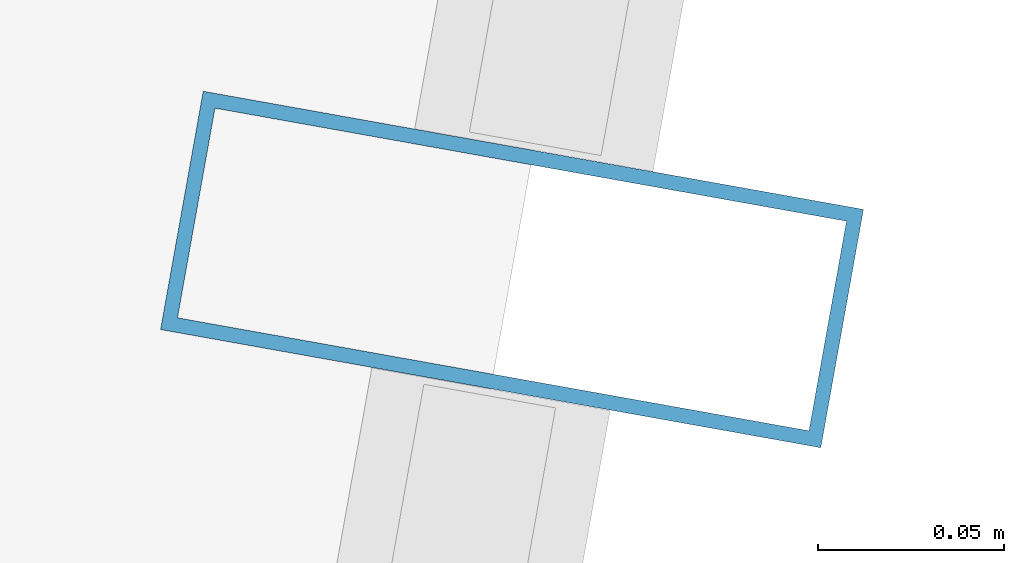
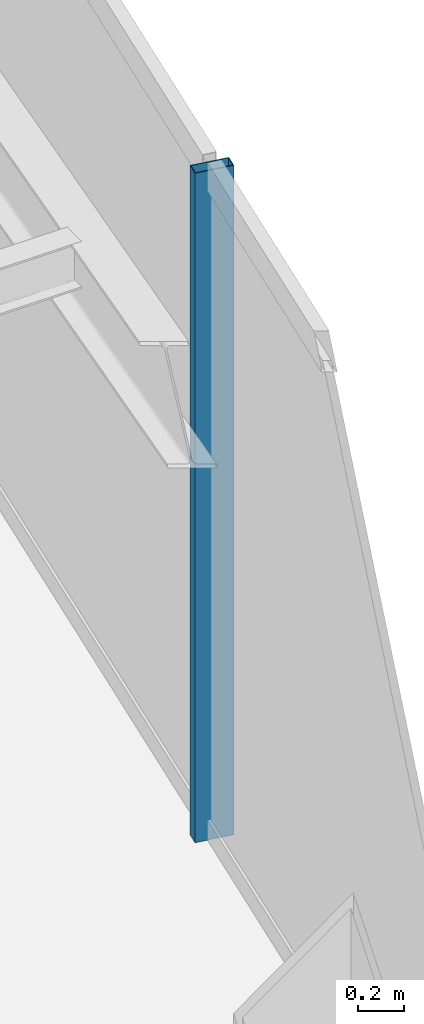
# One storey, part 17 of 32: 1 member, 1 element without a shape of its own.
"""IFC4 building model written with IfcOpenShell, lengths in metres."""

from ifc_helpers import new_model, si_unit, direction, frame, origin, origin_2d, place, context, subcontext, project, spatial, hollow_rectangle, extrude, material, material_profile, profile_set, type_object, element, aggregate, save


model = new_model("IFC4")

# Units and contexts
model_context = context("Model", 3, precision=1e-05, world=origin(), true_north=direction((0.0, 1.0)))
body_context = subcontext(model_context, "Body", "Model", "MODEL_VIEW")
ifc_project = project(units=[si_unit("LENGTHUNIT", "METRE"), si_unit("AREAUNIT", "SQUARE_METRE"), si_unit("VOLUMEUNIT", "CUBIC_METRE"), si_unit("PLANEANGLEUNIT", "RADIAN"), si_unit("MASSUNIT", "GRAM", prefix="KILO")], contexts=[model_context])

# Site, building, storey
site_placement = place(None, origin())
site = spatial("IfcSite", under=ifc_project, at=site_placement, CompositionType="ELEMENT")
building_placement = place(site_placement, origin())
building = spatial("IfcBuilding", under=site, at=building_placement, Name="Saevonmaru Cultural Tower", CompositionType="ELEMENT")
storey_placement = place(building_placement, frame((0.0, 0.0, 264.800048828125)))
storey = spatial("IfcBuildingStorey", under=building, at=storey_placement, Name="L62", CompositionType="ELEMENT", Elevation=264.800048828125)

# Curtain wall, member
ifc_material = material(Name="Satin Bronze Anodised Aluminium", Category="aluminium")
curtain_wall_type = type_object("IfcCurtainWallType", Name="CW-TYP-B", PredefinedType="NOTDEFINED", material=ifc_material)
curtain_wall_placement = place(storey_placement, origin())
curtain_wall = element("IfcCurtainWall", 1, at=curtain_wall_placement, inside=storey, type_object=curtain_wall_type, Name="L62 Unitised Curtain Wall E8", PredefinedType="NOTDEFINED")
ifc_material_profile = material_profile(ifc_material, hollow_rectangle(XDim=0.06494140625, YDim=0.179931640625, WallThickness=0.00390625, at=origin_2d()), Name="ALU-MULL-180x65x4")
ifc_profile_set = profile_set([ifc_material_profile], Name="Satin Bronze Anodised Aluminium")
member_type = type_object("IfcMemberType", Name="ML-CW-180x65", PredefinedType="MULLION", material=ifc_profile_set)
member_placement = place(storey_placement, frame((52.806396484375, 34.953125, 0.0), z_axis=(0.0, 0.0, 1.0), x_axis=(0.176140740755, 0.984364993001, 0.0)))
member = element("IfcMember", 2, at=member_placement, type_object=member_type, Name="CW-TW-L62-E8 mullion 2", PredefinedType="MULLION", context=body_context, shape_type="SweptSolid", body=[
    extrude(hollow_rectangle(XDim=0.06494140625, YDim=0.179931640625, WallThickness=0.00390625, at=origin_2d()), origin(), (0.0, 0.0, 1.0), 3.550048828125),
])
aggregate(curtain_wall, [member])

save(model, "model.ifc")
